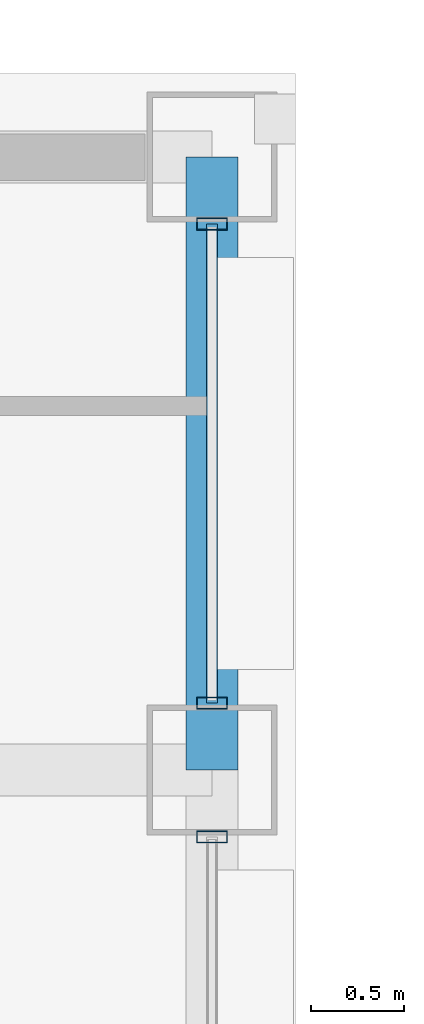
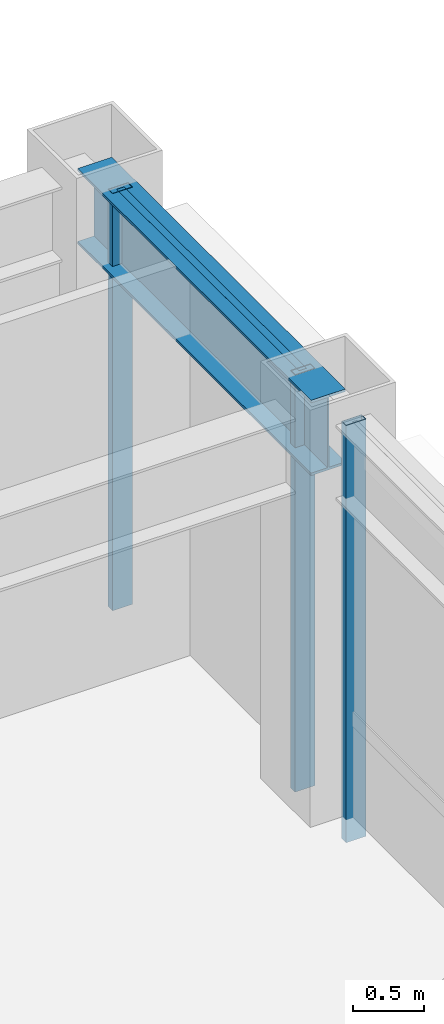
# One storey, part 18 of 29: 4 members, 1 beam, 2 elements without a shape of their own.
"""IFC4 building model written with IfcOpenShell, lengths in metres."""

from ifc_helpers import new_model, si_unit, direction, frame, origin, origin_2d, place, context, subcontext, project, spatial, hollow_rectangle, i_section, extrude, material, layer, layer_set, material_profile, profile_set, type_object, element, aggregate, save


model = new_model("IFC4")

# Units and contexts
model_context = context("Model", 3, precision=1e-05, world=origin(), true_north=direction((0.0, 1.0)))
body_context = subcontext(model_context, "Body", "Model", "MODEL_VIEW")
ifc_project = project(units=[si_unit("LENGTHUNIT", "METRE"), si_unit("AREAUNIT", "SQUARE_METRE"), si_unit("VOLUMEUNIT", "CUBIC_METRE"), si_unit("PLANEANGLEUNIT", "RADIAN"), si_unit("MASSUNIT", "GRAM", prefix="KILO")], contexts=[model_context])

# Site, building, storey
site_placement = place(None, origin())
site = spatial("IfcSite", under=ifc_project, at=site_placement, CompositionType="ELEMENT")
building_placement = place(site_placement, origin())
building = spatial("IfcBuilding", under=site, at=building_placement, Name="Brelmoor Portico Tower", CompositionType="ELEMENT")
storey_placement = place(building_placement, frame((0.0, 0.0, 201.89990234375)))
storey = spatial("IfcBuildingStorey", under=building, at=storey_placement, Name="L53", CompositionType="ELEMENT", Elevation=201.89990234375)

# Beam
ifc_material_1 = material(Name="Steel Q355B", Category="steel")
ifc_material_profile_1 = material_profile(ifc_material_1, i_section(OverallWidth=0.280029296875, OverallDepth=0.64990234375, WebThickness=0.012939453125, FlangeThickness=0.02197265625, at=origin_2d()), Name="HN 650x280x13x22")
ifc_profile_set_1 = profile_set([ifc_material_profile_1], Name="Steel Q355B")
beam_type = type_object("IfcBeamType", Name="BM-SP-650", PredefinedType="SPANDREL", material=ifc_profile_set_1)
beam_placement = place(storey_placement, frame((20.550048828125, 9.75, 3.0751953125), z_axis=(0.0, 1.0, 0.0), x_axis=(-1.0, 0.0, 0.0)))
element("IfcBeam", 1, at=beam_placement, inside=storey, type_object=beam_type, Name="L53 Perimeter Spandrel Beam SP-20", PredefinedType="SPANDREL", context=body_context, shape_type="SweptSolid", body=[
    extrude(i_section(OverallWidth=0.280029296875, OverallDepth=0.64990234375, WebThickness=0.012939453125, FlangeThickness=0.02197265625, at=origin_2d()), origin(), (0.0, 0.0, 1.0), 3.300048828125),
])

# Curtain wall, member
ifc_material_2 = material(Name="Anodised Aluminium Alloy 6063-T6", Category="aluminium")
ifc_layer_1 = layer(ifc_material_2, 0.179931640625)
ifc_layer_set_1 = layer_set([ifc_layer_1], Name="Anodised Aluminium Alloy 6063-T6")
curtain_wall_type_1 = type_object("IfcCurtainWallType", Name="CW-TOWER-Z3", PredefinedType="NOTDEFINED", material=ifc_layer_set_1)
curtain_wall_1_placement = place(storey_placement, origin())
curtain_wall_1 = element("IfcCurtainWall", 2, at=curtain_wall_1_placement, inside=storey, type_object=curtain_wall_type_1, Name="L53 Curtain Wall CW-L53-4R-1", PredefinedType="NOTDEFINED")
ifc_material_profile_2 = material_profile(ifc_material_2, hollow_rectangle(XDim=0.06494140625, YDim=0.1650390625, WallThickness=0.00390625, at=origin_2d()), Name="ALU MULLION 65x165")
ifc_profile_set_2 = profile_set([ifc_material_profile_2], Name="Anodised Aluminium Alloy 6063-T6")
member_type_1 = type_object("IfcMemberType", Name="MB-CW-MULL-165", PredefinedType="MULLION", material=ifc_profile_set_2)
member_1_placement = place(storey_placement, frame((20.550048828125, 9.389892578125, -0.199951171875), z_axis=(0.0, 0.0, 1.0), x_axis=(0.0, 1.0, 0.0)))
member_1 = element("IfcMember", 3, at=member_1_placement, type_object=member_type_1, Name="CW-L53-4R-1 Mullion 01", PredefinedType="MULLION", context=body_context, shape_type="SweptSolid", body=[
    extrude(hollow_rectangle(XDim=0.06494140625, YDim=0.1650390625, WallThickness=0.00390625, at=origin_2d()), origin(), (0.0, 0.0, 1.0), 3.60009765625),
])
aggregate(curtain_wall_1, [member_1])

# Curtain wall, members
ifc_layer_2 = layer(ifc_material_2, 0.179931640625)
ifc_layer_set_2 = layer_set([ifc_layer_2], Name="Anodised Aluminium Alloy 6063-T6")
curtain_wall_type_2 = type_object("IfcCurtainWallType", Name="CW-TOWER-Z3-XB", PredefinedType="NOTDEFINED", material=ifc_layer_set_2)
curtain_wall_2_placement = place(storey_placement, origin())
curtain_wall_2 = element("IfcCurtainWall", 4, at=curtain_wall_2_placement, inside=storey, type_object=curtain_wall_type_2, Name="L53 Curtain Wall CW-L53-4R-2", PredefinedType="NOTDEFINED")
member_2_placement = place(storey_placement, frame((20.550048828125, 10.110107421875, -0.199951171875), z_axis=(0.0, 0.0, 1.0), x_axis=(0.0, 1.0, 0.0)))
member_2 = element("IfcMember", 5, at=member_2_placement, type_object=member_type_1, Name="CW-L53-4R-2 Mullion 00", PredefinedType="MULLION", context=body_context, shape_type="SweptSolid", body=[
    extrude(hollow_rectangle(XDim=0.06494140625, YDim=0.1650390625, WallThickness=0.00390625, at=origin_2d()), origin(), (0.0, 0.0, 1.0), 3.60009765625),
])
member_3_placement = place(storey_placement, frame((20.550048828125, 12.68994140625, -0.199951171875), z_axis=(0.0, 0.0, 1.0), x_axis=(0.0, 1.0, 0.0)))
member_3 = element("IfcMember", 6, at=member_3_placement, type_object=member_type_1, Name="CW-L53-4R-2 Mullion 01", PredefinedType="MULLION", context=body_context, shape_type="SweptSolid", body=[
    extrude(hollow_rectangle(XDim=0.06494140625, YDim=0.1650390625, WallThickness=0.00390625, at=origin_2d()), origin(), (0.0, 0.0, 1.0), 3.60009765625),
])
ifc_material_profile_3 = material_profile(ifc_material_2, hollow_rectangle(XDim=0.06005859375, YDim=0.125, WallThickness=0.00341796875, at=origin_2d()), Name="ALU TRANSOM 60x125")
ifc_profile_set_3 = profile_set([ifc_material_profile_3], Name="Anodised Aluminium Alloy 6063-T6")
member_type_2 = type_object("IfcMemberType", Name="MB-CW-TRAN-125", PredefinedType="USERDEFINED", material=ifc_profile_set_3)
member_4_placement = place(storey_placement, frame((20.550048828125, 10.110107421875, 3.337646484375), z_axis=(0.0, 1.0, 0.0), x_axis=(-1.0, 0.0, 0.0)))
member_4 = element("IfcMember", 7, at=member_4_placement, type_object=member_type_2, Name="CW-L53-4R-2 Transom 1-00", ObjectType="TRANSOM", PredefinedType="USERDEFINED", context=body_context, shape_type="SweptSolid", body=[
    extrude(hollow_rectangle(XDim=0.06005859375, YDim=0.125, WallThickness=0.00341796875, at=origin_2d()), origin(), (0.0, 0.0, 1.0), 2.579833984375),
])
aggregate(curtain_wall_2, [member_2, member_3, member_4])

save(model, "model.ifc")
